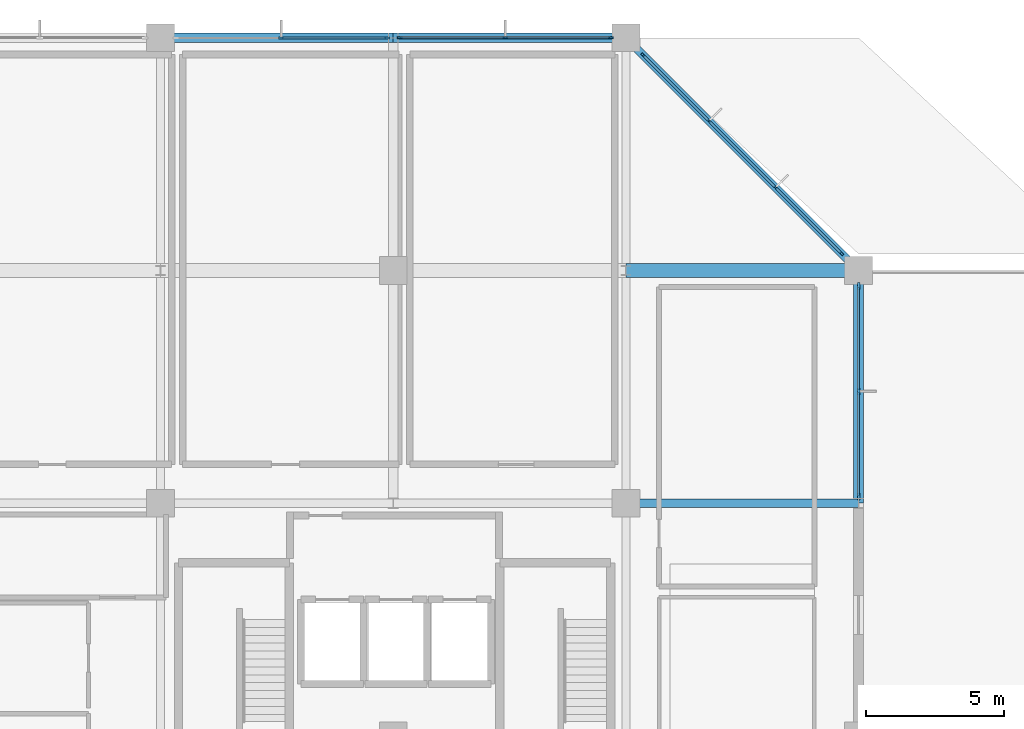
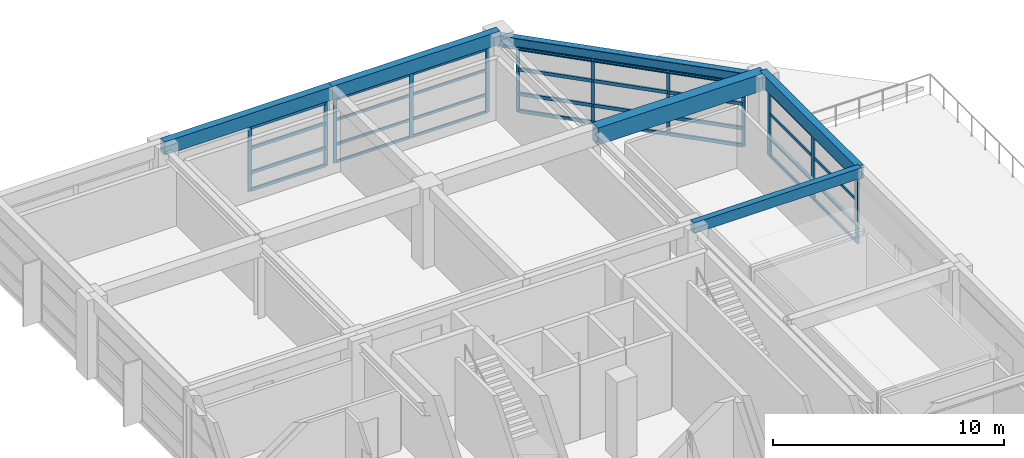
# One storey, part 11 of 21: 44 members, 6 beams, 4 elements without a shape of their own.
"""IFC4 building model written with IfcOpenShell, lengths in metres."""

from ifc_helpers import new_model, si_unit, direction, frame, origin, origin_2d, place, context, subcontext, project, spatial, rectangle, i_section, extrude, material, material_profile, profile_set, type_object, element, aggregate, save


model = new_model("IFC4")

# Units and contexts
model_context = context("Model", 3, precision=1e-05, world=origin(), true_north=direction((0.0, 1.0)))
body_context = subcontext(model_context, "Body", "Model", "MODEL_VIEW")
ifc_project = project(units=[si_unit("LENGTHUNIT", "METRE"), si_unit("AREAUNIT", "SQUARE_METRE"), si_unit("VOLUMEUNIT", "CUBIC_METRE"), si_unit("PLANEANGLEUNIT", "RADIAN"), si_unit("MASSUNIT", "GRAM", prefix="KILO")], contexts=[model_context])

# Site, building, storey
site_placement = place(None, origin())
site = spatial("IfcSite", under=ifc_project, at=site_placement, CompositionType="ELEMENT")
building_placement = place(site_placement, origin())
building = spatial("IfcBuilding", under=site, at=building_placement, Name="Xuanlan Plaza Opera House", CompositionType="ELEMENT")
storey_placement = place(building_placement, frame((0.0, 0.0, 44.699951171875)))
storey = spatial("IfcBuildingStorey", under=building, at=storey_placement, Name="L10", CompositionType="ELEMENT", Elevation=44.699951171875)

# Curtain wall, members
ifc_material_1 = material(Name="Anodised Aluminium 6063-T6 and Low-E Glass", Category="aluminium")
curtain_wall_type_1 = type_object("IfcCurtainWallType", Name="ENV-CW-CW-01", PredefinedType="USERDEFINED", material=ifc_material_1)
curtain_wall_1_placement = place(storey_placement, origin())
curtain_wall_1 = element("IfcCurtainWall", 1, at=curtain_wall_1_placement, inside=storey, type_object=curtain_wall_type_1, Name="Unitised Curtain Wall L10-009", ObjectType="UNITISED CURTAIN WALL", PredefinedType="USERDEFINED")
ifc_material_2 = material(Name="Anodised Aluminium 6063-T6", Category="aluminium")
ifc_material_profile_1 = material_profile(ifc_material_2, rectangle(XDim=0.06494140625, YDim=0.159912109375, at=origin_2d()), Name="ALU-M 65x160")
ifc_profile_set_1 = profile_set([ifc_material_profile_1], Name="Anodised Aluminium 6063-T6")
member_type_1 = type_object("IfcMemberType", Name="ENV-CWM-01", PredefinedType="MULLION", material=ifc_profile_set_1)
member_1_placement = place(storey_placement, frame((158.97802734375, 76.221923828125, 0.0), z_axis=(0.0, 0.0, 1.0), x_axis=(-0.707106781187, -0.707106781187, 0.0)))
member_1 = element("IfcMember", 2, at=member_1_placement, type_object=member_type_1, Name="CW-01 mullion 1", PredefinedType="MULLION", context=body_context, shape_type="SweptSolid", body=[
    extrude(rectangle(XDim=0.06494140625, YDim=0.159912109375, at=origin_2d()), origin(), (0.0, 0.0, 1.0), 3.380126953125),
])
member_2_placement = place(storey_placement, frame((156.600341796875, 78.599609375, 0.0), z_axis=(0.0, 0.0, 1.0), x_axis=(-0.707106781187, -0.707106781187, 0.0)))
member_2 = element("IfcMember", 3, at=member_2_placement, type_object=member_type_1, Name="CW-01 mullion 2", PredefinedType="MULLION", context=body_context, shape_type="SweptSolid", body=[
    extrude(rectangle(XDim=0.06494140625, YDim=0.159912109375, at=origin_2d()), origin(), (0.0, 0.0, 1.0), 3.380126953125),
])
member_3_placement = place(storey_placement, frame((154.19970703125, 81.000244140625, 0.0), z_axis=(0.0, 0.0, 1.0), x_axis=(-0.707106781187, -0.707106781187, 0.0)))
member_3 = element("IfcMember", 4, at=member_3_placement, type_object=member_type_1, Name="CW-01 mullion 3", PredefinedType="MULLION", context=body_context, shape_type="SweptSolid", body=[
    extrude(rectangle(XDim=0.06494140625, YDim=0.159912109375, at=origin_2d()), origin(), (0.0, 0.0, 1.0), 3.380126953125),
])
member_4_placement = place(storey_placement, frame((151.822021484375, 83.3779296875, 0.0), z_axis=(0.0, 0.0, 1.0), x_axis=(-0.707106781187, -0.707106781187, 0.0)))
member_4 = element("IfcMember", 5, at=member_4_placement, type_object=member_type_1, Name="CW-01 mullion 4", PredefinedType="MULLION", context=body_context, shape_type="SweptSolid", body=[
    extrude(rectangle(XDim=0.06494140625, YDim=0.159912109375, at=origin_2d()), origin(), (0.0, 0.0, 1.0), 3.380126953125),
])

curtain_wall_type_2 = type_object("IfcCurtainWallType", Name="ENV-CW-CW-02", PredefinedType="USERDEFINED", material=ifc_material_1)
curtain_wall_2_placement = place(storey_placement, origin())
curtain_wall_2 = element("IfcCurtainWall", 6, at=curtain_wall_2_placement, inside=storey, type_object=curtain_wall_type_2, Name="Unitised Curtain Wall L10-010", ObjectType="UNITISED CURTAIN WALL", PredefinedType="USERDEFINED")
ifc_material_profile_2 = material_profile(ifc_material_2, rectangle(XDim=0.070068359375, YDim=0.179931640625, at=origin_2d()), Name="ALU-M 70x180")
ifc_profile_set_2 = profile_set([ifc_material_profile_2], Name="Anodised Aluminium 6063-T6")
member_type_2 = type_object("IfcMemberType", Name="ENV-CWM-02", PredefinedType="MULLION", material=ifc_profile_set_2)
member_5_placement = place(storey_placement, frame((150.64501953125, 84.0, 0.0), z_axis=(0.0, 0.0, 1.0), x_axis=(0.0, -1.0, 0.0)))
member_5 = element("IfcMember", 7, at=member_5_placement, type_object=member_type_2, Name="CW-02 mullion 1", PredefinedType="MULLION", context=body_context, shape_type="SweptSolid", body=[
    extrude(rectangle(XDim=0.070068359375, YDim=0.179931640625, at=origin_2d()), origin(), (0.0, 0.0, 1.0), 3.380126953125),
])
member_6_placement = place(storey_placement, frame((146.83740234375, 84.0, 0.0), z_axis=(0.0, 0.0, 1.0), x_axis=(0.0, -1.0, 0.0)))
member_6 = element("IfcMember", 8, at=member_6_placement, type_object=member_type_2, Name="CW-02 mullion 2", PredefinedType="MULLION", context=body_context, shape_type="SweptSolid", body=[
    extrude(rectangle(XDim=0.070068359375, YDim=0.179931640625, at=origin_2d()), origin(), (0.0, 0.0, 1.0), 3.380126953125),
])
member_7_placement = place(storey_placement, frame((143.030029296875, 84.0, 0.0), z_axis=(0.0, 0.0, 1.0), x_axis=(0.0, -1.0, 0.0)))
member_7 = element("IfcMember", 9, at=member_7_placement, type_object=member_type_2, Name="CW-02 mullion 3", PredefinedType="MULLION", context=body_context, shape_type="SweptSolid", body=[
    extrude(rectangle(XDim=0.070068359375, YDim=0.179931640625, at=origin_2d()), origin(), (0.0, 0.0, 1.0), 3.380126953125),
])

curtain_wall_type_3 = type_object("IfcCurtainWallType", Name="ENV-CW-CW-03", PredefinedType="USERDEFINED", material=ifc_material_1)
curtain_wall_3_placement = place(storey_placement, origin())
curtain_wall_3 = element("IfcCurtainWall", 10, at=curtain_wall_3_placement, inside=storey, type_object=curtain_wall_type_3, Name="Unitised Curtain Wall L10-011", ObjectType="UNITISED CURTAIN WALL", PredefinedType="USERDEFINED")
ifc_material_profile_3 = material_profile(ifc_material_2, rectangle(XDim=0.074951171875, YDim=0.199951171875, at=origin_2d()), Name="ALU-M 75x200")
ifc_profile_set_3 = profile_set([ifc_material_profile_3], Name="Anodised Aluminium 6063-T6")
member_type_3 = type_object("IfcMemberType", Name="ENV-CWM-03", PredefinedType="MULLION", material=ifc_profile_set_3)
member_8_placement = place(storey_placement, frame((142.5673828125, 84.0, 0.0), z_axis=(0.0, 0.0, 1.0), x_axis=(0.0, -1.0, 0.0)))
member_8 = element("IfcMember", 11, at=member_8_placement, type_object=member_type_3, Name="CW-03 mullion 1", PredefinedType="MULLION", context=body_context, shape_type="SweptSolid", body=[
    extrude(rectangle(XDim=0.074951171875, YDim=0.199951171875, at=origin_2d()), origin(), (0.0, 0.0, 1.0), 3.380126953125),
])
member_9_placement = place(storey_placement, frame((138.762451171875, 84.0, 0.0), z_axis=(0.0, 0.0, 1.0), x_axis=(0.0, -1.0, 0.0)))
member_9 = element("IfcMember", 12, at=member_9_placement, type_object=member_type_3, Name="CW-03 mullion 2", PredefinedType="MULLION", context=body_context, shape_type="SweptSolid", body=[
    extrude(rectangle(XDim=0.074951171875, YDim=0.199951171875, at=origin_2d()), origin(), (0.0, 0.0, 1.0), 3.380126953125),
])

curtain_wall_type_4 = type_object("IfcCurtainWallType", Name="ENV-CW-CW-04", PredefinedType="USERDEFINED", material=ifc_material_1)
curtain_wall_4_placement = place(storey_placement, origin())
curtain_wall_4 = element("IfcCurtainWall", 13, at=curtain_wall_4_placement, inside=storey, type_object=curtain_wall_type_4, Name="Unitised Curtain Wall L10-008", ObjectType="UNITISED CURTAIN WALL", PredefinedType="USERDEFINED")
ifc_material_profile_4 = material_profile(ifc_material_2, rectangle(XDim=0.090087890625, YDim=0.25, at=origin_2d()), Name="ALU-M 90x250")
ifc_profile_set_4 = profile_set([ifc_material_profile_4], Name="Anodised Aluminium 6063-T6")
member_type_4 = type_object("IfcMemberType", Name="ENV-CWM-05", PredefinedType="MULLION", material=ifc_profile_set_4)
member_10_placement = place(storey_placement, frame((159.60009765625, 67.43994140625, 0.0), z_axis=(0.0, 0.0, 1.0), x_axis=(-1.0, 0.0, 0.0)))
member_10 = element("IfcMember", 14, at=member_10_placement, type_object=member_type_4, Name="CW-04 mullion 1", PredefinedType="MULLION", context=body_context, shape_type="SweptSolid", body=[
    extrude(rectangle(XDim=0.090087890625, YDim=0.25, at=origin_2d()), origin(), (0.0, 0.0, 1.0), 3.380126953125),
])
member_11_placement = place(storey_placement, frame((159.60009765625, 71.237548828125, 0.0), z_axis=(0.0, 0.0, 1.0), x_axis=(-1.0, 0.0, 0.0)))
member_11 = element("IfcMember", 15, at=member_11_placement, type_object=member_type_4, Name="CW-04 mullion 2", PredefinedType="MULLION", context=body_context, shape_type="SweptSolid", body=[
    extrude(rectangle(XDim=0.090087890625, YDim=0.25, at=origin_2d()), origin(), (0.0, 0.0, 1.0), 3.380126953125),
])
member_12_placement = place(storey_placement, frame((159.60009765625, 75.034912109375, 0.0), z_axis=(0.0, 0.0, 1.0), x_axis=(-1.0, 0.0, 0.0)))
member_12 = element("IfcMember", 16, at=member_12_placement, type_object=member_type_4, Name="CW-04 mullion 3", PredefinedType="MULLION", context=body_context, shape_type="SweptSolid", body=[
    extrude(rectangle(XDim=0.090087890625, YDim=0.25, at=origin_2d()), origin(), (0.0, 0.0, 1.0), 3.380126953125),
])

# Member
ifc_material_profile_5 = material_profile(ifc_material_2, rectangle(XDim=0.070068359375, YDim=0.135009765625, at=origin_2d()), Name="ALU-T 70x135")
ifc_profile_set_5 = profile_set([ifc_material_profile_5], Name="Anodised Aluminium 6063-T6")
member_type_5 = type_object("IfcMemberType", Name="ENV-CWT-02", PredefinedType="USERDEFINED", material=ifc_profile_set_5)
member_13_placement = place(storey_placement, frame((150.610107421875, 84.0, 0.03515625), z_axis=(-1.0, 0.0, 0.0), x_axis=(0.0, -1.0, 0.0)))
member_13 = element("IfcMember", 17, at=member_13_placement, type_object=member_type_5, Name="CW-02 transom 1.1", ObjectType="TRANSOM", PredefinedType="USERDEFINED", context=body_context, shape_type="SweptSolid", body=[
    extrude(rectangle(XDim=0.070068359375, YDim=0.135009765625, at=origin_2d()), origin(), (0.0, 0.0, 1.0), 3.737548828125),
])

member_14_placement = place(storey_placement, frame((150.610107421875, 84.0, 0.949951171875), z_axis=(-1.0, 0.0, 0.0), x_axis=(0.0, -1.0, 0.0)))
member_14 = element("IfcMember", 18, at=member_14_placement, type_object=member_type_5, Name="CW-02 transom 1.2", ObjectType="TRANSOM", PredefinedType="USERDEFINED", context=body_context, shape_type="SweptSolid", body=[
    extrude(rectangle(XDim=0.070068359375, YDim=0.135009765625, at=origin_2d()), origin(), (0.0, 0.0, 1.0), 3.737548828125),
])

member_15_placement = place(storey_placement, frame((150.610107421875, 84.0, 2.25), z_axis=(-1.0, 0.0, 0.0), x_axis=(0.0, -1.0, 0.0)))
member_15 = element("IfcMember", 19, at=member_15_placement, type_object=member_type_5, Name="CW-02 transom 1.3", ObjectType="TRANSOM", PredefinedType="USERDEFINED", context=body_context, shape_type="SweptSolid", body=[
    extrude(rectangle(XDim=0.070068359375, YDim=0.135009765625, at=origin_2d()), origin(), (0.0, 0.0, 1.0), 3.737548828125),
])

member_16_placement = place(storey_placement, frame((150.610107421875, 84.0, 3.344970703125), z_axis=(-1.0, 0.0, 0.0), x_axis=(0.0, -1.0, 0.0)))
member_16 = element("IfcMember", 20, at=member_16_placement, type_object=member_type_5, Name="CW-02 transom 1.4", ObjectType="TRANSOM", PredefinedType="USERDEFINED", context=body_context, shape_type="SweptSolid", body=[
    extrude(rectangle(XDim=0.070068359375, YDim=0.135009765625, at=origin_2d()), origin(), (0.0, 0.0, 1.0), 3.737548828125),
])

member_17_placement = place(storey_placement, frame((146.802490234375, 84.0, 0.03515625), z_axis=(-1.0, 0.0, 0.0), x_axis=(0.0, -1.0, 0.0)))
member_17 = element("IfcMember", 21, at=member_17_placement, type_object=member_type_5, Name="CW-02 transom 2.1", ObjectType="TRANSOM", PredefinedType="USERDEFINED", context=body_context, shape_type="SweptSolid", body=[
    extrude(rectangle(XDim=0.070068359375, YDim=0.135009765625, at=origin_2d()), origin(), (0.0, 0.0, 1.0), 3.737548828125),
])

member_18_placement = place(storey_placement, frame((146.802490234375, 84.0, 0.949951171875), z_axis=(-1.0, 0.0, 0.0), x_axis=(0.0, -1.0, 0.0)))
member_18 = element("IfcMember", 22, at=member_18_placement, type_object=member_type_5, Name="CW-02 transom 2.2", ObjectType="TRANSOM", PredefinedType="USERDEFINED", context=body_context, shape_type="SweptSolid", body=[
    extrude(rectangle(XDim=0.070068359375, YDim=0.135009765625, at=origin_2d()), origin(), (0.0, 0.0, 1.0), 3.737548828125),
])

member_19_placement = place(storey_placement, frame((146.802490234375, 84.0, 2.25), z_axis=(-1.0, 0.0, 0.0), x_axis=(0.0, -1.0, 0.0)))
member_19 = element("IfcMember", 23, at=member_19_placement, type_object=member_type_5, Name="CW-02 transom 2.3", ObjectType="TRANSOM", PredefinedType="USERDEFINED", context=body_context, shape_type="SweptSolid", body=[
    extrude(rectangle(XDim=0.070068359375, YDim=0.135009765625, at=origin_2d()), origin(), (0.0, 0.0, 1.0), 3.737548828125),
])

member_20_placement = place(storey_placement, frame((146.802490234375, 84.0, 3.344970703125), z_axis=(-1.0, 0.0, 0.0), x_axis=(0.0, -1.0, 0.0)))
member_20 = element("IfcMember", 24, at=member_20_placement, type_object=member_type_5, Name="CW-02 transom 2.4", ObjectType="TRANSOM", PredefinedType="USERDEFINED", context=body_context, shape_type="SweptSolid", body=[
    extrude(rectangle(XDim=0.070068359375, YDim=0.135009765625, at=origin_2d()), origin(), (0.0, 0.0, 1.0), 3.737548828125),
])

aggregate(curtain_wall_2, [member_5, member_6, member_7, member_13, member_14, member_15, member_16, member_17, member_18, member_19, member_20])

ifc_material_profile_6 = material_profile(ifc_material_2, rectangle(XDim=0.074951171875, YDim=0.14990234375, at=origin_2d()), Name="ALU-T 75x150")
ifc_profile_set_6 = profile_set([ifc_material_profile_6], Name="Anodised Aluminium 6063-T6")
member_type_6 = type_object("IfcMemberType", Name="ENV-CWT-03", PredefinedType="USERDEFINED", material=ifc_profile_set_6)
member_21_placement = place(storey_placement, frame((159.60009765625, 67.485107421875, 0.03759765625), z_axis=(0.0, 1.0, 0.0), x_axis=(-1.0, 0.0, 0.0)))
member_21 = element("IfcMember", 25, at=member_21_placement, type_object=member_type_6, Name="CW-04 transom 1.1", ObjectType="TRANSOM", PredefinedType="USERDEFINED", context=body_context, shape_type="SweptSolid", body=[
    extrude(rectangle(XDim=0.074951171875, YDim=0.14990234375, at=origin_2d()), origin(), (0.0, 0.0, 1.0), 3.707275390625),
])

member_22_placement = place(storey_placement, frame((159.60009765625, 67.485107421875, 0.949951171875), z_axis=(0.0, 1.0, 0.0), x_axis=(-1.0, 0.0, 0.0)))
member_22 = element("IfcMember", 26, at=member_22_placement, type_object=member_type_6, Name="CW-04 transom 1.2", ObjectType="TRANSOM", PredefinedType="USERDEFINED", context=body_context, shape_type="SweptSolid", body=[
    extrude(rectangle(XDim=0.074951171875, YDim=0.14990234375, at=origin_2d()), origin(), (0.0, 0.0, 1.0), 3.707275390625),
])

member_23_placement = place(storey_placement, frame((159.60009765625, 67.485107421875, 2.25), z_axis=(0.0, 1.0, 0.0), x_axis=(-1.0, 0.0, 0.0)))
member_23 = element("IfcMember", 27, at=member_23_placement, type_object=member_type_6, Name="CW-04 transom 1.3", ObjectType="TRANSOM", PredefinedType="USERDEFINED", context=body_context, shape_type="SweptSolid", body=[
    extrude(rectangle(XDim=0.074951171875, YDim=0.14990234375, at=origin_2d()), origin(), (0.0, 0.0, 1.0), 3.707275390625),
])

member_24_placement = place(storey_placement, frame((159.60009765625, 67.485107421875, 3.342529296875), z_axis=(0.0, 1.0, 0.0), x_axis=(-1.0, 0.0, 0.0)))
member_24 = element("IfcMember", 28, at=member_24_placement, type_object=member_type_6, Name="CW-04 transom 1.4", ObjectType="TRANSOM", PredefinedType="USERDEFINED", context=body_context, shape_type="SweptSolid", body=[
    extrude(rectangle(XDim=0.074951171875, YDim=0.14990234375, at=origin_2d()), origin(), (0.0, 0.0, 1.0), 3.707275390625),
])

member_25_placement = place(storey_placement, frame((159.60009765625, 71.282470703125, 0.03759765625), z_axis=(0.0, 1.0, 0.0), x_axis=(-1.0, 0.0, 0.0)))
member_25 = element("IfcMember", 29, at=member_25_placement, type_object=member_type_6, Name="CW-04 transom 2.1", ObjectType="TRANSOM", PredefinedType="USERDEFINED", context=body_context, shape_type="SweptSolid", body=[
    extrude(rectangle(XDim=0.074951171875, YDim=0.14990234375, at=origin_2d()), origin(), (0.0, 0.0, 1.0), 3.70751953125),
])

member_26_placement = place(storey_placement, frame((159.60009765625, 71.282470703125, 0.949951171875), z_axis=(0.0, 1.0, 0.0), x_axis=(-1.0, 0.0, 0.0)))
member_26 = element("IfcMember", 30, at=member_26_placement, type_object=member_type_6, Name="CW-04 transom 2.2", ObjectType="TRANSOM", PredefinedType="USERDEFINED", context=body_context, shape_type="SweptSolid", body=[
    extrude(rectangle(XDim=0.074951171875, YDim=0.14990234375, at=origin_2d()), origin(), (0.0, 0.0, 1.0), 3.70751953125),
])

member_27_placement = place(storey_placement, frame((159.60009765625, 71.282470703125, 2.25), z_axis=(0.0, 1.0, 0.0), x_axis=(-1.0, 0.0, 0.0)))
member_27 = element("IfcMember", 31, at=member_27_placement, type_object=member_type_6, Name="CW-04 transom 2.3", ObjectType="TRANSOM", PredefinedType="USERDEFINED", context=body_context, shape_type="SweptSolid", body=[
    extrude(rectangle(XDim=0.074951171875, YDim=0.14990234375, at=origin_2d()), origin(), (0.0, 0.0, 1.0), 3.70751953125),
])

member_28_placement = place(storey_placement, frame((159.60009765625, 71.282470703125, 3.342529296875), z_axis=(0.0, 1.0, 0.0), x_axis=(-1.0, 0.0, 0.0)))
member_28 = element("IfcMember", 32, at=member_28_placement, type_object=member_type_6, Name="CW-04 transom 2.4", ObjectType="TRANSOM", PredefinedType="USERDEFINED", context=body_context, shape_type="SweptSolid", body=[
    extrude(rectangle(XDim=0.074951171875, YDim=0.14990234375, at=origin_2d()), origin(), (0.0, 0.0, 1.0), 3.70751953125),
])

aggregate(curtain_wall_4, [member_10, member_11, member_12, member_21, member_22, member_23, member_24, member_25, member_26, member_27, member_28])

ifc_material_profile_7 = material_profile(ifc_material_2, rectangle(XDim=0.080078125, YDim=0.1650390625, at=origin_2d()), Name="ALU-T 80x165")
ifc_profile_set_7 = profile_set([ifc_material_profile_7], Name="Anodised Aluminium 6063-T6")
member_type_7 = type_object("IfcMemberType", Name="ENV-CWT-04", PredefinedType="USERDEFINED", material=ifc_profile_set_7)
member_29_placement = place(storey_placement, frame((142.530029296875, 84.0, 0.0400390625), z_axis=(-1.0, 0.0, 0.0), x_axis=(0.0, -1.0, 0.0)))
member_29 = element("IfcMember", 33, at=member_29_placement, type_object=member_type_7, Name="CW-03 transom 1.1", ObjectType="TRANSOM", PredefinedType="USERDEFINED", context=body_context, shape_type="SweptSolid", body=[
    extrude(rectangle(XDim=0.080078125, YDim=0.1650390625, at=origin_2d()), origin(), (0.0, 0.0, 1.0), 3.72998046875),
])

member_30_placement = place(storey_placement, frame((142.530029296875, 84.0, 0.949951171875), z_axis=(-1.0, 0.0, 0.0), x_axis=(0.0, -1.0, 0.0)))
member_30 = element("IfcMember", 34, at=member_30_placement, type_object=member_type_7, Name="CW-03 transom 1.2", ObjectType="TRANSOM", PredefinedType="USERDEFINED", context=body_context, shape_type="SweptSolid", body=[
    extrude(rectangle(XDim=0.080078125, YDim=0.1650390625, at=origin_2d()), origin(), (0.0, 0.0, 1.0), 3.72998046875),
])

member_31_placement = place(storey_placement, frame((142.530029296875, 84.0, 2.25), z_axis=(-1.0, 0.0, 0.0), x_axis=(0.0, -1.0, 0.0)))
member_31 = element("IfcMember", 35, at=member_31_placement, type_object=member_type_7, Name="CW-03 transom 1.3", ObjectType="TRANSOM", PredefinedType="USERDEFINED", context=body_context, shape_type="SweptSolid", body=[
    extrude(rectangle(XDim=0.080078125, YDim=0.1650390625, at=origin_2d()), origin(), (0.0, 0.0, 1.0), 3.72998046875),
])

member_32_placement = place(storey_placement, frame((142.530029296875, 84.0, 3.340087890625), z_axis=(-1.0, 0.0, 0.0), x_axis=(0.0, -1.0, 0.0)))
member_32 = element("IfcMember", 36, at=member_32_placement, type_object=member_type_7, Name="CW-03 transom 1.4", ObjectType="TRANSOM", PredefinedType="USERDEFINED", context=body_context, shape_type="SweptSolid", body=[
    extrude(rectangle(XDim=0.080078125, YDim=0.1650390625, at=origin_2d()), origin(), (0.0, 0.0, 1.0), 3.72998046875),
])

aggregate(curtain_wall_3, [member_8, member_9, member_29, member_30, member_31, member_32])

ifc_material_profile_8 = material_profile(ifc_material_2, rectangle(XDim=0.090087890625, YDim=0.179931640625, at=origin_2d()), Name="ALU-T 90x180")
ifc_profile_set_8 = profile_set([ifc_material_profile_8], Name="Anodised Aluminium 6063-T6")
member_type_8 = type_object("IfcMemberType", Name="ENV-CWT-05", PredefinedType="USERDEFINED", material=ifc_profile_set_8)
member_33_placement = place(storey_placement, frame((158.955078125, 76.244873046875, 0.045166015625), z_axis=(-0.707106781187, 0.707106781187, 0.0), x_axis=(-0.707106781187, -0.707106781187, 0.0)))
member_33 = element("IfcMember", 37, at=member_33_placement, type_object=member_type_8, Name="CW-01 transom 1.1", ObjectType="TRANSOM", PredefinedType="USERDEFINED", context=body_context, shape_type="SweptSolid", body=[
    extrude(rectangle(XDim=0.090087890625, YDim=0.179931640625, at=origin_2d()), origin(), (0.0, 0.0, 1.0), 3.297607421875),
])

member_34_placement = place(storey_placement, frame((158.955078125, 76.244873046875, 0.949951171875), z_axis=(-0.707106781187, 0.707106781187, 0.0), x_axis=(-0.707106781187, -0.707106781187, 0.0)))
member_34 = element("IfcMember", 38, at=member_34_placement, type_object=member_type_8, Name="CW-01 transom 1.2", ObjectType="TRANSOM", PredefinedType="USERDEFINED", context=body_context, shape_type="SweptSolid", body=[
    extrude(rectangle(XDim=0.090087890625, YDim=0.179931640625, at=origin_2d()), origin(), (0.0, 0.0, 1.0), 3.297607421875),
])

member_35_placement = place(storey_placement, frame((158.955078125, 76.244873046875, 2.25), z_axis=(-0.707106781187, 0.707106781187, 0.0), x_axis=(-0.707106781187, -0.707106781187, 0.0)))
member_35 = element("IfcMember", 39, at=member_35_placement, type_object=member_type_8, Name="CW-01 transom 1.3", ObjectType="TRANSOM", PredefinedType="USERDEFINED", context=body_context, shape_type="SweptSolid", body=[
    extrude(rectangle(XDim=0.090087890625, YDim=0.179931640625, at=origin_2d()), origin(), (0.0, 0.0, 1.0), 3.297607421875),
])

member_36_placement = place(storey_placement, frame((158.955078125, 76.244873046875, 3.3349609375), z_axis=(-0.707106781187, 0.707106781187, 0.0), x_axis=(-0.707106781187, -0.707106781187, 0.0)))
member_36 = element("IfcMember", 40, at=member_36_placement, type_object=member_type_8, Name="CW-01 transom 1.4", ObjectType="TRANSOM", PredefinedType="USERDEFINED", context=body_context, shape_type="SweptSolid", body=[
    extrude(rectangle(XDim=0.090087890625, YDim=0.179931640625, at=origin_2d()), origin(), (0.0, 0.0, 1.0), 3.297607421875),
])

member_37_placement = place(storey_placement, frame((156.577392578125, 78.62255859375, 0.045166015625), z_axis=(-0.707106781187, 0.707106781187, 0.0), x_axis=(-0.707106781187, -0.707106781187, 0.0)))
member_37 = element("IfcMember", 41, at=member_37_placement, type_object=member_type_8, Name="CW-01 transom 2.1", ObjectType="TRANSOM", PredefinedType="USERDEFINED", context=body_context, shape_type="SweptSolid", body=[
    extrude(rectangle(XDim=0.090087890625, YDim=0.179931640625, at=origin_2d()), origin(), (0.0, 0.0, 1.0), 3.330078125),
])

member_38_placement = place(storey_placement, frame((156.577392578125, 78.62255859375, 0.949951171875), z_axis=(-0.707106781187, 0.707106781187, 0.0), x_axis=(-0.707106781187, -0.707106781187, 0.0)))
member_38 = element("IfcMember", 42, at=member_38_placement, type_object=member_type_8, Name="CW-01 transom 2.2", ObjectType="TRANSOM", PredefinedType="USERDEFINED", context=body_context, shape_type="SweptSolid", body=[
    extrude(rectangle(XDim=0.090087890625, YDim=0.179931640625, at=origin_2d()), origin(), (0.0, 0.0, 1.0), 3.330078125),
])

member_39_placement = place(storey_placement, frame((156.577392578125, 78.62255859375, 2.25), z_axis=(-0.707106781187, 0.707106781187, 0.0), x_axis=(-0.707106781187, -0.707106781187, 0.0)))
member_39 = element("IfcMember", 43, at=member_39_placement, type_object=member_type_8, Name="CW-01 transom 2.3", ObjectType="TRANSOM", PredefinedType="USERDEFINED", context=body_context, shape_type="SweptSolid", body=[
    extrude(rectangle(XDim=0.090087890625, YDim=0.179931640625, at=origin_2d()), origin(), (0.0, 0.0, 1.0), 3.330078125),
])

member_40_placement = place(storey_placement, frame((156.577392578125, 78.62255859375, 3.3349609375), z_axis=(-0.707106781187, 0.707106781187, 0.0), x_axis=(-0.707106781187, -0.707106781187, 0.0)))
member_40 = element("IfcMember", 44, at=member_40_placement, type_object=member_type_8, Name="CW-01 transom 2.4", ObjectType="TRANSOM", PredefinedType="USERDEFINED", context=body_context, shape_type="SweptSolid", body=[
    extrude(rectangle(XDim=0.090087890625, YDim=0.179931640625, at=origin_2d()), origin(), (0.0, 0.0, 1.0), 3.330078125),
])

member_41_placement = place(storey_placement, frame((154.1767578125, 81.023193359375, 0.045166015625), z_axis=(-0.707106781187, 0.707106781187, 0.0), x_axis=(-0.707106781187, -0.707106781187, 0.0)))
member_41 = element("IfcMember", 45, at=member_41_placement, type_object=member_type_8, Name="CW-01 transom 3.1", ObjectType="TRANSOM", PredefinedType="USERDEFINED", context=body_context, shape_type="SweptSolid", body=[
    extrude(rectangle(XDim=0.090087890625, YDim=0.179931640625, at=origin_2d()), origin(), (0.0, 0.0, 1.0), 3.297607421875),
])

member_42_placement = place(storey_placement, frame((154.1767578125, 81.023193359375, 0.949951171875), z_axis=(-0.707106781187, 0.707106781187, 0.0), x_axis=(-0.707106781187, -0.707106781187, 0.0)))
member_42 = element("IfcMember", 46, at=member_42_placement, type_object=member_type_8, Name="CW-01 transom 3.2", ObjectType="TRANSOM", PredefinedType="USERDEFINED", context=body_context, shape_type="SweptSolid", body=[
    extrude(rectangle(XDim=0.090087890625, YDim=0.179931640625, at=origin_2d()), origin(), (0.0, 0.0, 1.0), 3.297607421875),
])

member_43_placement = place(storey_placement, frame((154.1767578125, 81.023193359375, 2.25), z_axis=(-0.707106781187, 0.707106781187, 0.0), x_axis=(-0.707106781187, -0.707106781187, 0.0)))
member_43 = element("IfcMember", 47, at=member_43_placement, type_object=member_type_8, Name="CW-01 transom 3.3", ObjectType="TRANSOM", PredefinedType="USERDEFINED", context=body_context, shape_type="SweptSolid", body=[
    extrude(rectangle(XDim=0.090087890625, YDim=0.179931640625, at=origin_2d()), origin(), (0.0, 0.0, 1.0), 3.297607421875),
])

member_44_placement = place(storey_placement, frame((154.1767578125, 81.023193359375, 3.3349609375), z_axis=(-0.707106781187, 0.707106781187, 0.0), x_axis=(-0.707106781187, -0.707106781187, 0.0)))
member_44 = element("IfcMember", 48, at=member_44_placement, type_object=member_type_8, Name="CW-01 transom 3.4", ObjectType="TRANSOM", PredefinedType="USERDEFINED", context=body_context, shape_type="SweptSolid", body=[
    extrude(rectangle(XDim=0.090087890625, YDim=0.179931640625, at=origin_2d()), origin(), (0.0, 0.0, 1.0), 3.297607421875),
])

aggregate(curtain_wall_1, [member_1, member_2, member_3, member_4, member_33, member_34, member_35, member_36, member_37, member_38, member_39, member_40, member_41, member_42, member_43, member_44])

# Beams
ifc_material_3 = material(Name="Concrete C40", Category="concrete")
ifc_material_profile_9 = material_profile(ifc_material_3, rectangle(XDim=0.5, YDim=0.89990234375, at=origin_2d()), Name="RC-BM 500x900")
ifc_profile_set_9 = profile_set([ifc_material_profile_9], Name="Concrete C40")
beam_type_1 = type_object("IfcBeamType", Name="STR-BM-B-03", PredefinedType="BEAM", material=ifc_profile_set_9)
beam_1_placement = place(storey_placement, frame((151.199951171875, 75.60009765625, 3.75), z_axis=(1.0, 0.0, 0.0), x_axis=(0.0, 1.0, 0.0)))
element("IfcBeam", 49, at=beam_1_placement, inside=storey, type_object=beam_type_1, Name="Grid Beam X L10 19-20/J", PredefinedType="BEAM", context=body_context, shape_type="SweptSolid", body=[
    extrude(rectangle(XDim=0.5, YDim=0.89990234375, at=origin_2d()), origin(), (0.0, 0.0, 1.0), 8.400146484375),
])
ifc_material_profile_10 = material_profile(ifc_material_3, rectangle(XDim=0.300048828125, YDim=0.550048828125, at=origin_2d()), Name="RC-BM 300x550")
ifc_profile_set_10 = profile_set([ifc_material_profile_10], Name="Concrete C40")
beam_type_2 = type_object("IfcBeamType", Name="STR-BM-B-09", PredefinedType="BEAM", material=ifc_profile_set_10)
beam_2_placement = place(storey_placement, frame((151.199951171875, 67.199951171875, 3.925048828125), z_axis=(1.0, 0.0, 0.0), x_axis=(0.0, 1.0, 0.0)))
element("IfcBeam", 50, at=beam_2_placement, inside=storey, type_object=beam_type_2, Name="Grid Beam X L10 19-20/I", PredefinedType="BEAM", context=body_context, shape_type="SweptSolid", body=[
    extrude(rectangle(XDim=0.300048828125, YDim=0.550048828125, at=origin_2d()), origin(), (0.0, 0.0, 1.0), 8.400146484375),
])
ifc_material_profile_11 = material_profile(ifc_material_3, rectangle(XDim=0.35009765625, YDim=0.699951171875, at=origin_2d()), Name="RC-SPD 350x700")
ifc_profile_set_11 = profile_set([ifc_material_profile_11], Name="Concrete C40")
beam_type_3 = type_object("IfcBeamType", Name="STR-BM-SP-02", PredefinedType="SPANDREL", material=ifc_profile_set_11)
beam_3_placement = place(storey_placement, frame((134.39990234375, 84.0, 3.85009765625), z_axis=(1.0, 0.0, 0.0), x_axis=(0.0, 1.0, 0.0)))
element("IfcBeam", 51, at=beam_3_placement, inside=storey, type_object=beam_type_3, Name="Grid Beam X L10 17-18/K", PredefinedType="SPANDREL", context=body_context, shape_type="SweptSolid", body=[
    extrude(rectangle(XDim=0.35009765625, YDim=0.699951171875, at=origin_2d()), origin(), (0.0, 0.0, 1.0), 8.400146484375),
])
beam_4_placement = place(storey_placement, frame((142.800048828125, 84.0, 3.85009765625), z_axis=(1.0, 0.0, 0.0), x_axis=(0.0, 1.0, 0.0)))
element("IfcBeam", 52, at=beam_4_placement, inside=storey, type_object=beam_type_3, Name="Grid Beam X L10 18-19/K", PredefinedType="SPANDREL", context=body_context, shape_type="SweptSolid", body=[
    extrude(rectangle(XDim=0.35009765625, YDim=0.699951171875, at=origin_2d()), origin(), (0.0, 0.0, 1.0), 8.39990234375),
])
beam_5_placement = place(storey_placement, frame((159.60009765625, 67.199951171875, 3.85009765625), z_axis=(0.0, 1.0, 0.0), x_axis=(-1.0, 0.0, 0.0)))
element("IfcBeam", 53, at=beam_5_placement, inside=storey, type_object=beam_type_3, Name="Grid Beam Y L10 20/I-J", PredefinedType="SPANDREL", context=body_context, shape_type="SweptSolid", body=[
    extrude(rectangle(XDim=0.35009765625, YDim=0.699951171875, at=origin_2d()), origin(), (0.0, 0.0, 1.0), 8.400146484375),
])
ifc_material_4 = material(Name="Steel Q355B", Category="steel")
ifc_material_profile_12 = material_profile(ifc_material_4, i_section(OverallWidth=0.300048828125, OverallDepth=0.587890625, WebThickness=0.011962890625, FlangeThickness=0.02001953125, FilletRadius=0.02392578125, at=origin_2d()), Name="HM 588x300x12x20")
ifc_profile_set_12 = profile_set([ifc_material_profile_12], Name="Steel Q355B")
beam_type_4 = type_object("IfcBeamType", Name="STR-BM-SP-03", PredefinedType="SPANDREL", material=ifc_profile_set_12)
beam_6_placement = place(storey_placement, frame((159.60009765625, 75.60009765625, 3.6611328125), z_axis=(-0.707117056885, 0.707096505339, 0.0), x_axis=(-0.707096505339, -0.707117056885, 0.0)))
element("IfcBeam", 54, at=beam_6_placement, inside=storey, type_object=beam_type_4, Name="Faceted Edge Spandrel L10 CH03", PredefinedType="SPANDREL", context=body_context, shape_type="SweptSolid", body=[
    extrude(i_section(OverallWidth=0.300048828125, OverallDepth=0.587890625, WebThickness=0.011962890625, FlangeThickness=0.02001953125, FilletRadius=0.02392578125, at=origin_2d()), origin(), (0.0, 0.0, 1.0), 11.87939453125),
])

save(model, "model.ifc")
